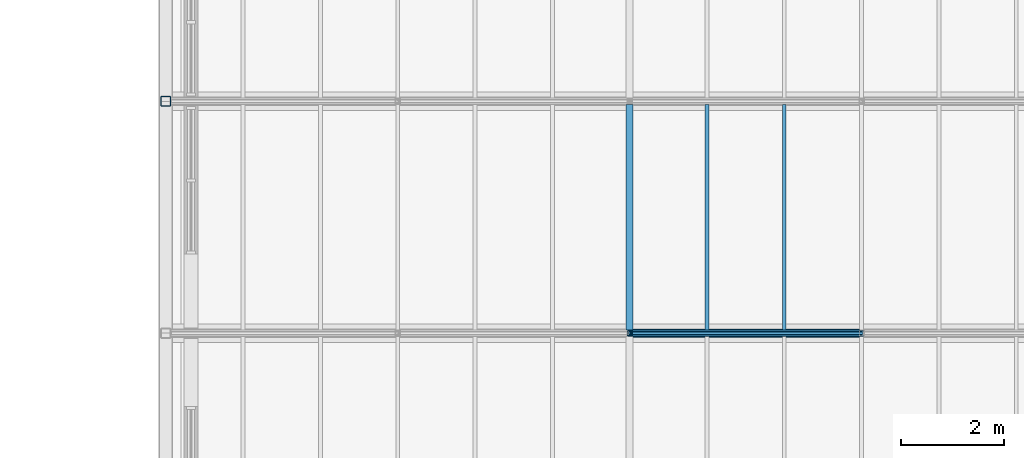
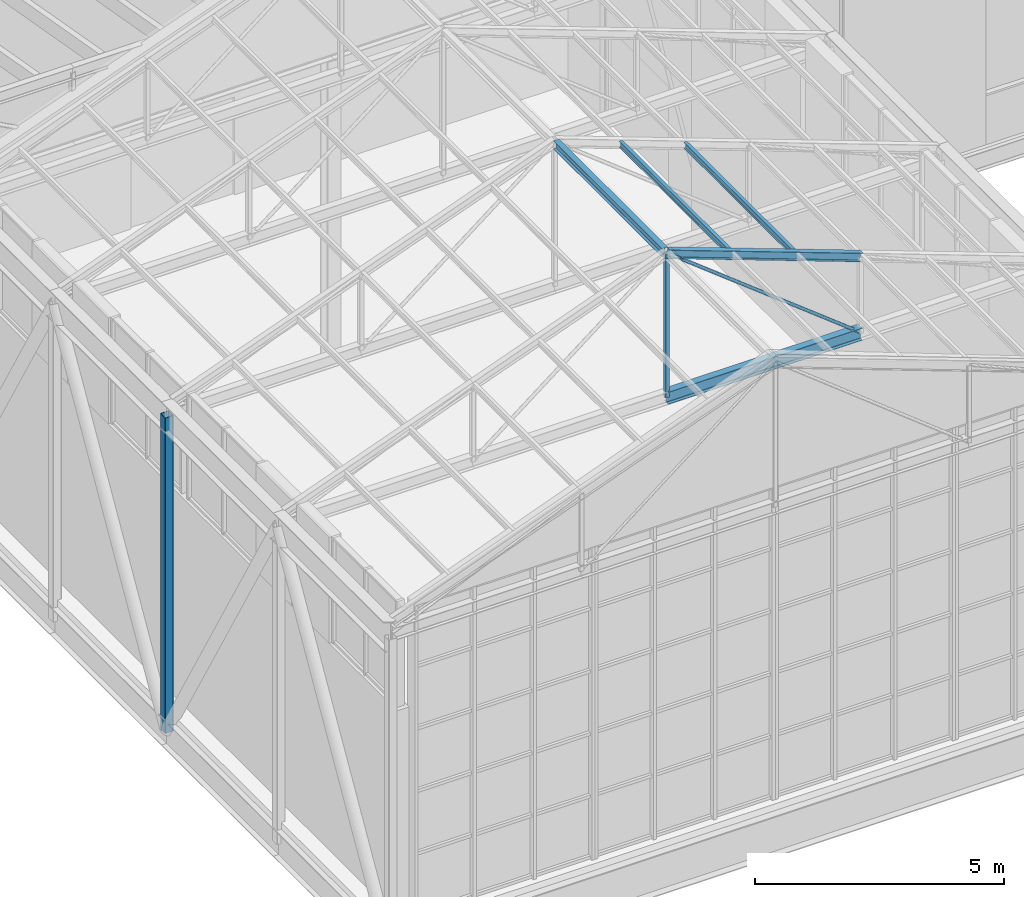
# One storey, part 15 of 90: 8 members.
"""IFC4 building model written with IfcOpenShell, lengths in metres."""

import ifcopenshell
import ifcopenshell.guid

model = None  # the IFC model being written
_history = None  # IfcOwnerHistory: only IFC2X3 demands one
_inside = {}  # id of a spatial element -> (the spatial element, [elements in it])
_under = {}  # id of a project, library or spatial element -> (it, [spatial elements below it])
_declared = {}  # id of a project -> (the project, [libraries it declares])
_typed = {}  # id of a type object -> (the type object, [elements of that type])
_made_of = {}  # id of a material, layer set ... -> (it, [elements and type objects made of it])


def new_model(schema):
    """Start an empty IFC model of exactly this schema.

    Asked for "IFC4X3", IfcOpenShell would pick the latest addendum, in which some entities
    have other attributes; the version numbers below select the first issue.
    IFC2X3 requires an IfcOwnerHistory on every rooted entity: one is made here for all.
    """
    global model, _history
    if schema == "IFC4X3":
        model = ifcopenshell.file(schema_version=(4, 3, 0, 0))
    else:
        model = ifcopenshell.file(schema=schema)
    _inside.clear()
    _under.clear()
    _declared.clear()
    _typed.clear()
    _made_of.clear()
    _history = None
    if model.schema == "IFC2X3":
        org = make("IfcOrganization", Name="unknown")
        user = make(
            "IfcPersonAndOrganization",
            ThePerson=make("IfcPerson", FamilyName="unknown"),
            TheOrganization=org,
        )
        app = make(
            "IfcApplication",
            ApplicationDeveloper=org,
            Version="unknown",
            ApplicationFullName="unknown",
            ApplicationIdentifier="unknown",
        )
        _history = make(
            "IfcOwnerHistory",
            OwningUser=user,
            OwningApplication=app,
            ChangeAction="ADDED",
            CreationDate=0,
        )
    return model


def make(cls, **values):
    """One entity of the class cls with the attributes given. An attribute that is None is left unset."""
    return model.create_entity(
        cls, **{name: value for name, value in values.items() if value is not None}
    )


def rooted(cls, **values):
    """An entity with a GlobalId (a new one), such as an element, a storey or a relation."""
    return make(cls, GlobalId=ifcopenshell.guid.new(), OwnerHistory=_history, **values)


def si_unit(unit_type, name, prefix=None):
    """IfcSIUnit, for example si_unit("LENGTHUNIT", "METRE", prefix="MILLI")."""
    return make("IfcSIUnit", UnitType=unit_type, Prefix=prefix, Name=name)


def assignment(units):
    """IfcUnitAssignment: the units of a project."""
    return None if units is None else make("IfcUnitAssignment", Units=units)


def point(xyz):
    """IfcCartesianPoint."""
    return None if xyz is None else make("IfcCartesianPoint", Coordinates=xyz)


def direction(xyz):
    """IfcDirection."""
    return None if xyz is None else make("IfcDirection", DirectionRatios=xyz)


def frame(location, z_axis=None, x_axis=None):
    """IfcAxis2Placement3D, a coordinate frame: its origin and axes. An axis left out is left unset."""
    return make(
        "IfcAxis2Placement3D",
        Location=point(location),
        Axis=direction(z_axis),
        RefDirection=direction(x_axis),
    )


def frame_2d(location, x_axis=None):
    """IfcAxis2Placement2D, a coordinate frame in the plane: its origin and x axis."""
    return make(
        "IfcAxis2Placement2D", Location=point(location), RefDirection=direction(x_axis)
    )


def origin():
    """The frame at (0, 0, 0) with its axes left unset."""
    return frame((0.0, 0.0, 0.0))


def origin_2d():
    """The frame at (0, 0) in the plane with its x axis left unset."""
    return frame_2d((0.0, 0.0))


def place(relative_to, where):
    """IfcLocalPlacement: puts the frame where relative to a parent placement (None: the world)."""
    return make(
        "IfcLocalPlacement", PlacementRelTo=relative_to, RelativePlacement=where
    )


def context(
    kind, dimensions, precision=None, world=None, true_north=None, identifier=None
):
    """IfcGeometricRepresentationContext, for example the 3D "Model" context."""
    return make(
        "IfcGeometricRepresentationContext",
        ContextIdentifier=identifier,
        ContextType=kind,
        CoordinateSpaceDimension=dimensions,
        Precision=precision,
        WorldCoordinateSystem=world,
        TrueNorth=true_north,
    )


def subcontext(parent, identifier, kind, view, scale=None):
    """IfcGeometricRepresentationSubContext, for example "Body" below "Model"."""
    return make(
        "IfcGeometricRepresentationSubContext",
        ContextIdentifier=identifier,
        ContextType=kind,
        ParentContext=parent,
        TargetScale=scale,
        TargetView=view,
    )


def project(units=None, contexts=None):
    """IfcProject with its units and contexts."""
    return rooted(
        "IfcProject",
        Name="project",
        RepresentationContexts=contexts,
        UnitsInContext=assignment(units),
    )


def spatial(cls, under=None, at=None, **own):
    """A site, building, storey or space (cls), placed at a placement, below another one or the project."""
    s = rooted(cls, ObjectPlacement=at, **own)
    if under is not None:
        _under.setdefault(under.id(), (under, []))[1].append(s)
    return s


def profile(cls, at=None, kind="AREA", **sizes):
    """A parametric profile (cls). Its sizes go by their IFC names, for example OverallWidth=200.0."""
    return make(cls, ProfileType=kind, Position=at, **sizes)


def hollow_rectangle(**sizes):
    """IfcRectangleHollowProfileDef."""
    return profile("IfcRectangleHollowProfileDef", **sizes)


def hollow_circle(**sizes):
    """IfcCircleHollowProfileDef."""
    return profile("IfcCircleHollowProfileDef", **sizes)


def i_section(**sizes):
    """IfcIShapeProfileDef."""
    return profile("IfcIShapeProfileDef", **sizes)


def extrude(swept, where, along, depth):
    """IfcExtrudedAreaSolid: the profile swept, set in the frame where, extruded along a direction by depth."""
    return make(
        "IfcExtrudedAreaSolid",
        SweptArea=swept,
        Position=where,
        ExtrudedDirection=direction(along),
        Depth=depth,
    )


def shape(context_of_items, identifier, shape_type, items):
    """IfcShapeRepresentation: the items that make up one representation, for example the "Body"."""
    return make(
        "IfcShapeRepresentation",
        ContextOfItems=context_of_items,
        RepresentationIdentifier=identifier,
        RepresentationType=shape_type,
        Items=items,
    )


def material(Name=None, Category=None):
    """IfcMaterial."""
    return make("IfcMaterial", Name=Name, Category=Category)


def material_profile(
    of_material, cross_section, Name=None, Category=None, Priority=None
):
    """IfcMaterialProfile: a cross section and its material."""
    return make(
        "IfcMaterialProfile",
        Name=Name,
        Material=of_material,
        Profile=cross_section,
        Priority=Priority,
        Category=Category,
    )


def profile_set(profiles, Name=None, composite=None):
    """IfcMaterialProfileSet."""
    return make(
        "IfcMaterialProfileSet",
        Name=Name,
        MaterialProfiles=profiles,
        CompositeProfile=composite,
    )


def made_of(thing, what):
    """Note that an element or type object is made of a material, layer set ...; save() writes the relation."""
    if what is not None:
        _made_of.setdefault(what.id(), (what, []))[1].append(thing)
    return thing


def type_object(cls, material=None, **own):
    """A type object (cls), such as IfcWallType, which elements share."""
    return made_of(rooted(cls, **own), material)


def element(
    cls,
    number,
    at=None,
    inside=None,
    cuts=None,
    type_object=None,
    material=None,
    context=None,
    identifier="Body",
    shape_type=None,
    held_by="IfcProductDefinitionShape",
    body=None,
    shapes=None,
    **own,
):
    """One element of the class cls, such as IfcWall. Its Tag is "e" and its number.

    at: its placement. inside: the storey or other place that contains it. cuts: it is an
    opening in that element (IfcRelVoidsElement). A single representation is given by context,
    identifier, shape_type and body (its items); several are given by shapes. held_by: the class
    of the entity that holds the representations. save() writes the other relations.
    """
    e = rooted(cls, Tag="e%d" % number, ObjectPlacement=at, **own)
    if body is not None:
        shapes = [shape(context, identifier, shape_type, body)]
    if shapes is not None:
        e.Representation = make(held_by, Representations=shapes)
    if inside is not None:
        _inside.setdefault(inside.id(), (inside, []))[1].append(e)
    if cuts is not None:
        rooted(
            "IfcRelVoidsElement", RelatingBuildingElement=cuts, RelatedOpeningElement=e
        )
    if type_object is not None:
        _typed.setdefault(type_object.id(), (type_object, []))[1].append(e)
    return made_of(e, material)


def aggregate(whole, parts):
    """IfcRelAggregates: a whole, such as a stair, and the parts it consists of."""
    return rooted("IfcRelAggregates", RelatingObject=whole, RelatedObjects=parts)


def save(model, path):
    """Write the relations noted so far, then the file.

    IfcRelAggregates (storeys below a building ...), IfcRelContainedInSpatialStructure (elements
    in a storey), IfcRelDefinesByType, IfcRelAssociatesMaterial and IfcRelDeclares: one each for
    every whole, place, type object, material and project.
    """
    for whole, parts in _under.values():
        aggregate(whole, parts)
    for where, things in _inside.values():
        rooted(
            "IfcRelContainedInSpatialStructure",
            RelatedElements=things,
            RelatingStructure=where,
        )
    for kind, things in _typed.values():
        rooted("IfcRelDefinesByType", RelatedObjects=things, RelatingType=kind)
    for what, things in _made_of.values():
        rooted("IfcRelAssociatesMaterial", RelatedObjects=things, RelatingMaterial=what)
    for by, libraries in _declared.values():
        rooted("IfcRelDeclares", RelatingContext=by, RelatedDefinitions=libraries)
    model.write(path)


model = new_model("IFC4")

# Units and contexts
model_context = context("Model", 3, precision=1e-05, world=origin(), true_north=direction((0.0, 1.0)))
body_context = subcontext(model_context, "Body", "Model", "MODEL_VIEW")
ifc_project = project(units=[si_unit("LENGTHUNIT", "METRE"), si_unit("AREAUNIT", "SQUARE_METRE"), si_unit("VOLUMEUNIT", "CUBIC_METRE"), si_unit("PLANEANGLEUNIT", "RADIAN"), si_unit("MASSUNIT", "GRAM", prefix="KILO")], contexts=[model_context])

# Site, building, storey
site_placement = place(None, origin())
site = spatial("IfcSite", under=ifc_project, at=site_placement, CompositionType="ELEMENT")
building_placement = place(site_placement, origin())
building = spatial("IfcBuilding", under=site, at=building_placement, Name="Halyard Row Museum", CompositionType="ELEMENT")
storey_placement = place(building_placement, frame((0.0, 0.0, 13.39990234375)))
storey = spatial("IfcBuildingStorey", under=building, at=storey_placement, Name="L03", CompositionType="ELEMENT", Elevation=13.39990234375)

# Members
ifc_material_1 = material(Name="Steel Grade 300", Category="steel")
ifc_material_profile_1 = material_profile(ifc_material_1, i_section(OverallWidth=0.074951171875, OverallDepth=0.155029296875, WebThickness=0.006103515625, FlangeThickness=0.009521484375, FilletRadius=0.008056640625, at=origin_2d()), Name="150UB18.0")
ifc_profile_set_1 = profile_set([ifc_material_profile_1], Name="Steel Grade 300")
member_type_1 = type_object("IfcMemberType", Name="Purlin 150UB18.0", PredefinedType="PURLIN", material=ifc_profile_set_1)
for number, where, z_axis, x_axis, name in (
    (1, (46.5, 4.56640625, 10.237060546875), (0.0, 1.0, 0.0), (-1.0, 0.0, 0.0), "V4 purlin PR5.2"),
    (2, (48.0, 4.56640625, 9.685302734375), (0.0, 1.0, 0.0), (-1.0, 0.0, 0.0), "V4 purlin PR4.2"),
):
    element("IfcMember", number, at=place(storey_placement, frame(where, z_axis=z_axis, x_axis=x_axis)), inside=storey, type_object=member_type_1, Name=name, PredefinedType="PURLIN", context=body_context, shape_type="SweptSolid", body=[
        extrude(i_section(OverallWidth=0.074951171875, OverallDepth=0.155029296875, WebThickness=0.006103515625, FlangeThickness=0.009521484375, FilletRadius=0.008056640625, at=origin_2d()), origin(), (0.0, 0.0, 1.0), 4.3671875),
    ])
ifc_material_2 = material(Name="Steel Grade 300", Category="steel")
ifc_material_profile_2 = material_profile(ifc_material_2, i_section(OverallWidth=0.133056640625, OverallDepth=0.20166015625, WebThickness=0.0048828125, FlangeThickness=0.007080078125, FilletRadius=0.0087890625, at=origin_2d()), Name="200UB22.3")
ifc_profile_set_2 = profile_set([ifc_material_profile_2], Name="Steel Grade 300")
member_type_2 = type_object("IfcMemberType", Name="Purlin 200UB22.3 ridge", PredefinedType="PURLIN", material=ifc_profile_set_2)
member_1_placement = place(storey_placement, frame((45.0, 4.56640625, 10.7548828125), z_axis=(0.0, 1.0, 0.0), x_axis=(-1.0, 0.0, 0.0)))
element("IfcMember", 3, at=member_1_placement, inside=storey, type_object=member_type_2, Name="V4 purlin PRG.2", PredefinedType="PURLIN", context=body_context, shape_type="SweptSolid", body=[
    extrude(i_section(OverallWidth=0.133056640625, OverallDepth=0.20166015625, WebThickness=0.0048828125, FlangeThickness=0.007080078125, FilletRadius=0.0087890625, at=origin_2d()), origin(), (0.0, 0.0, 1.0), 4.3671875),
])
ifc_material_3 = material(Name="Steel Grade C250L0", Category="steel")
ifc_material_profile_3 = material_profile(ifc_material_3, hollow_circle(Radius=0.0380859375, WallThickness=0.00439453125, at=origin_2d()), Name="76.1x4.5CHS")
ifc_profile_set_3 = profile_set([ifc_material_profile_3], Name="Steel Grade C250L0")
member_type_3 = type_object("IfcMemberType", Name="Roof truss diagonal 76.1x4.5CHS", PredefinedType="BRACE", material=ifc_profile_set_3)
member_2_placement = place(storey_placement, frame((49.5, 4.5, 7.2490234375), z_axis=(-0.787340018202, 0.0, 0.616519014904), x_axis=(0.0, -1.0, 0.0)))
element("IfcMember", 4, at=member_2_placement, inside=storey, type_object=member_type_3, Name="V4RT2 diagonal 3", PredefinedType="BRACE", context=body_context, shape_type="SweptSolid", body=[
    extrude(hollow_circle(Radius=0.0380859375, WallThickness=0.00439453125, at=origin_2d()), origin(), (0.0, 0.0, 1.0), 5.71533203125),
])
ifc_material_4 = material(Name="Steel Grade C350L0", Category="steel")
ifc_material_profile_4 = material_profile(ifc_material_4, hollow_rectangle(XDim=0.10009765625, YDim=0.10009765625, WallThickness=0.006103515625, InnerFilletRadius=0.009033203125, OuterFilletRadius=0.014892578125, at=origin_2d()), Name="100x100x6.0SHS")
ifc_profile_set_4 = profile_set([ifc_material_profile_4], Name="Steel Grade C350L0")
member_type_4 = type_object("IfcMemberType", Name="Roof truss post 100x100x6.0SHS", PredefinedType="POST", material=ifc_profile_set_4)
member_3_placement = place(storey_placement, frame((45.0, 4.5, 7.2490234375), z_axis=(0.0, 0.0, 1.0), x_axis=(1.0, 0.0, 0.0)))
element("IfcMember", 5, at=member_3_placement, inside=storey, type_object=member_type_4, Name="V4RT2 post 2", PredefinedType="POST", context=body_context, shape_type="SweptSolid", body=[
    extrude(hollow_rectangle(XDim=0.10009765625, YDim=0.10009765625, WallThickness=0.006103515625, InnerFilletRadius=0.009033203125, OuterFilletRadius=0.014892578125, at=origin_2d()), origin(), (0.0, 0.0, 1.0), 3.523681640625),
])
ifc_material_5 = material(Name="Steel Grade 300", Category="steel")
ifc_material_profile_5 = material_profile(ifc_material_5, i_section(OverallWidth=0.133056640625, OverallDepth=0.20166015625, WebThickness=0.0048828125, FlangeThickness=0.007080078125, FilletRadius=0.0087890625, at=origin_2d()), Name="200UB22.3")
ifc_profile_set_5 = profile_set([ifc_material_profile_5], Name="Steel Grade 300")
member_type_5 = type_object("IfcMemberType", Name="Roof truss rafter 200UB22.3 rafter", PredefinedType="RAFTER", material=ifc_profile_set_5)
member_4_placement = place(storey_placement, frame((45.0, 4.5, 10.772705078125), z_axis=(0.938520336973, 0.0, -0.345223952077), x_axis=(0.0, 1.0, 0.0)))
element("IfcMember", 6, at=member_4_placement, inside=storey, type_object=member_type_5, Name="V4RT2 rafter 3", PredefinedType="RAFTER", context=body_context, shape_type="SweptSolid", body=[
    extrude(i_section(OverallWidth=0.133056640625, OverallDepth=0.20166015625, WebThickness=0.0048828125, FlangeThickness=0.007080078125, FilletRadius=0.0087890625, at=origin_2d()), origin(), (0.0, 0.0, 1.0), 4.794677734375),
])
ifc_material_6 = material(Name="Steel Grade 300", Category="steel")
ifc_material_profile_6 = material_profile(ifc_material_6, i_section(OverallWidth=0.1650390625, OverallDepth=0.303955078125, WebThickness=0.006103515625, FlangeThickness=0.01025390625, FilletRadius=0.011474609375, at=origin_2d()), Name="310UB40.4")
ifc_profile_set_6 = profile_set([ifc_material_profile_6], Name="Steel Grade 300")
member_type_6 = type_object("IfcMemberType", Name="Roof truss tie 310UB40.4 tie", PredefinedType="CHORD", material=ifc_profile_set_6)
member_5_placement = place(storey_placement, frame((45.0, 4.5, 7.2490234375), z_axis=(1.0, 0.0, 0.0), x_axis=(0.0, 1.0, 0.0)))
element("IfcMember", 7, at=member_5_placement, inside=storey, type_object=member_type_6, Name="V4RT2 tie 3", PredefinedType="CHORD", context=body_context, shape_type="SweptSolid", body=[
    extrude(i_section(OverallWidth=0.1650390625, OverallDepth=0.303955078125, WebThickness=0.006103515625, FlangeThickness=0.01025390625, FilletRadius=0.011474609375, at=origin_2d()), origin(), (0.0, 0.0, 1.0), 4.5),
])
ifc_material_7 = material(Name="Steel Grade C350L0", Category="steel")
ifc_material_profile_7 = material_profile(ifc_material_7, hollow_rectangle(XDim=0.199951171875, YDim=0.199951171875, WallThickness=0.009033203125, InnerFilletRadius=0.013427734375, OuterFilletRadius=0.0224609375, at=origin_2d()), Name="200x200x9.0SHS")
ifc_profile_set_7 = profile_set([ifc_material_profile_7], Name="Steel Grade C350L0")
member_type_7 = type_object("IfcMemberType", Name="Transfer truss post 200x200x9.0SHS", PredefinedType="POST", material=ifc_profile_set_7)
member_6_placement = place(storey_placement, frame((36.0, 9.0, -0.514892578125), z_axis=(0.0, 0.0, 1.0), x_axis=(1.0, 0.0, 0.0)))
element("IfcMember", 8, at=member_6_placement, inside=storey, type_object=member_type_7, Name="TT1 post 3", PredefinedType="POST", context=body_context, shape_type="SweptSolid", body=[
    extrude(hollow_rectangle(XDim=0.199951171875, YDim=0.199951171875, WallThickness=0.009033203125, InnerFilletRadius=0.013427734375, OuterFilletRadius=0.0224609375, at=origin_2d()), origin(), (0.0, 0.0, 1.0), 7.744873046875),
])

save(model, "model.ifc")
